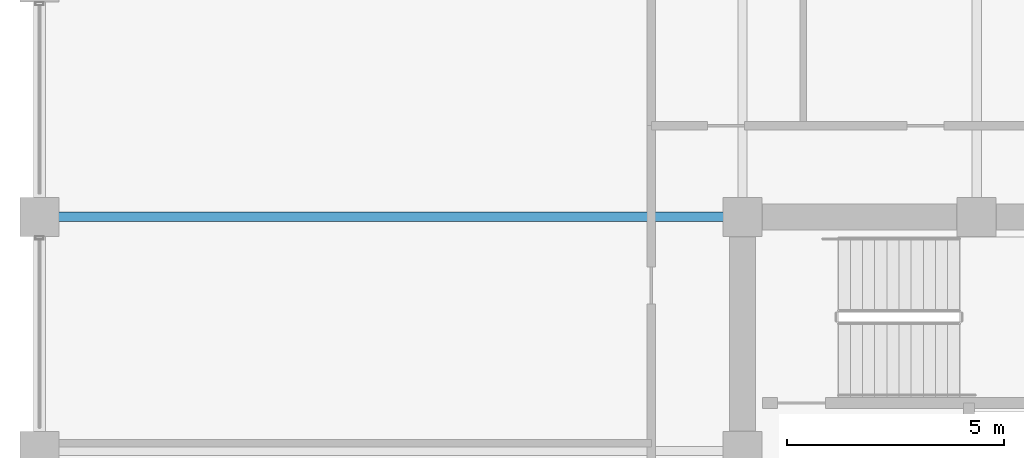
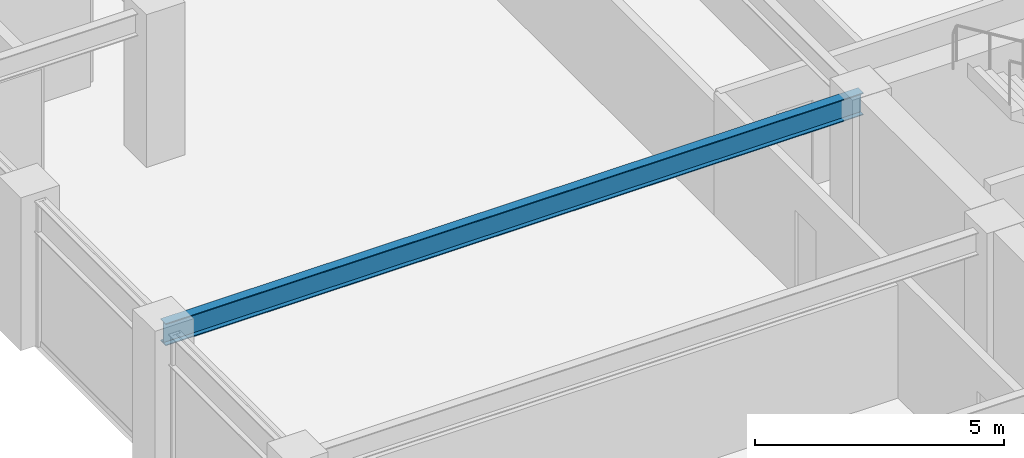
# One storey, part 17 of 32: 1 beam.
"""IFC4 building model written with IfcOpenShell, lengths in metres."""

from ifc_helpers import new_model, si_unit, direction, frame, origin, origin_2d, place, context, subcontext, project, spatial, i_section, extrude, material, material_profile, profile_set, type_object, element, save


model = new_model("IFC4")

# Units and contexts
model_context = context("Model", 3, precision=1e-05, world=origin(), true_north=direction((0.0, 1.0)))
body_context = subcontext(model_context, "Body", "Model", "MODEL_VIEW")
ifc_project = project(units=[si_unit("LENGTHUNIT", "METRE"), si_unit("AREAUNIT", "SQUARE_METRE"), si_unit("VOLUMEUNIT", "CUBIC_METRE"), si_unit("PLANEANGLEUNIT", "RADIAN"), si_unit("MASSUNIT", "GRAM", prefix="KILO")], contexts=[model_context])

# Site, building, storey
site_placement = place(None, origin())
site = spatial("IfcSite", under=ifc_project, at=site_placement, CompositionType="ELEMENT")
building_placement = place(site_placement, origin())
building = spatial("IfcBuilding", under=site, at=building_placement, Name="Surkhivell Harbour Commons", CompositionType="ELEMENT")
storey_placement = place(building_placement, frame((0.0, 0.0, 208.5)))
storey = spatial("IfcBuildingStorey", under=building, at=storey_placement, Name="L54", CompositionType="ELEMENT", Elevation=208.5)

# Beam
ifc_material = material(Name="Steel S355", Category="steel")
ifc_material_profile = material_profile(ifc_material, i_section(OverallWidth=0.2119140625, OverallDepth=0.5439453125, WebThickness=0.0126953125, FlangeThickness=0.021240234375, at=origin_2d()), Name="UB533x210x122")
ifc_profile_set = profile_set([ifc_material_profile], Name="Steel S355")
beam_type = type_object("IfcBeamType", Name="BM-GRD-533A", PredefinedType="BEAM", material=ifc_profile_set)
beam_placement = place(storey_placement, frame((-27.0, 10.800048828125, 3.298095703125), z_axis=(1.0, 0.0, 0.0), x_axis=(0.0, 1.0, 0.0)))
element("IfcBeam", 1, at=beam_placement, inside=storey, type_object=beam_type, Name="L54 Floor Girder (-27.0,10.8)", PredefinedType="BEAM", context=body_context, shape_type="SweptSolid", body=[
    extrude(i_section(OverallWidth=0.2119140625, OverallDepth=0.5439453125, WebThickness=0.0126953125, FlangeThickness=0.021240234375, at=origin_2d()), origin(), (0.0, 0.0, 1.0), 16.199951171875),
])

save(model, "model.ifc")
